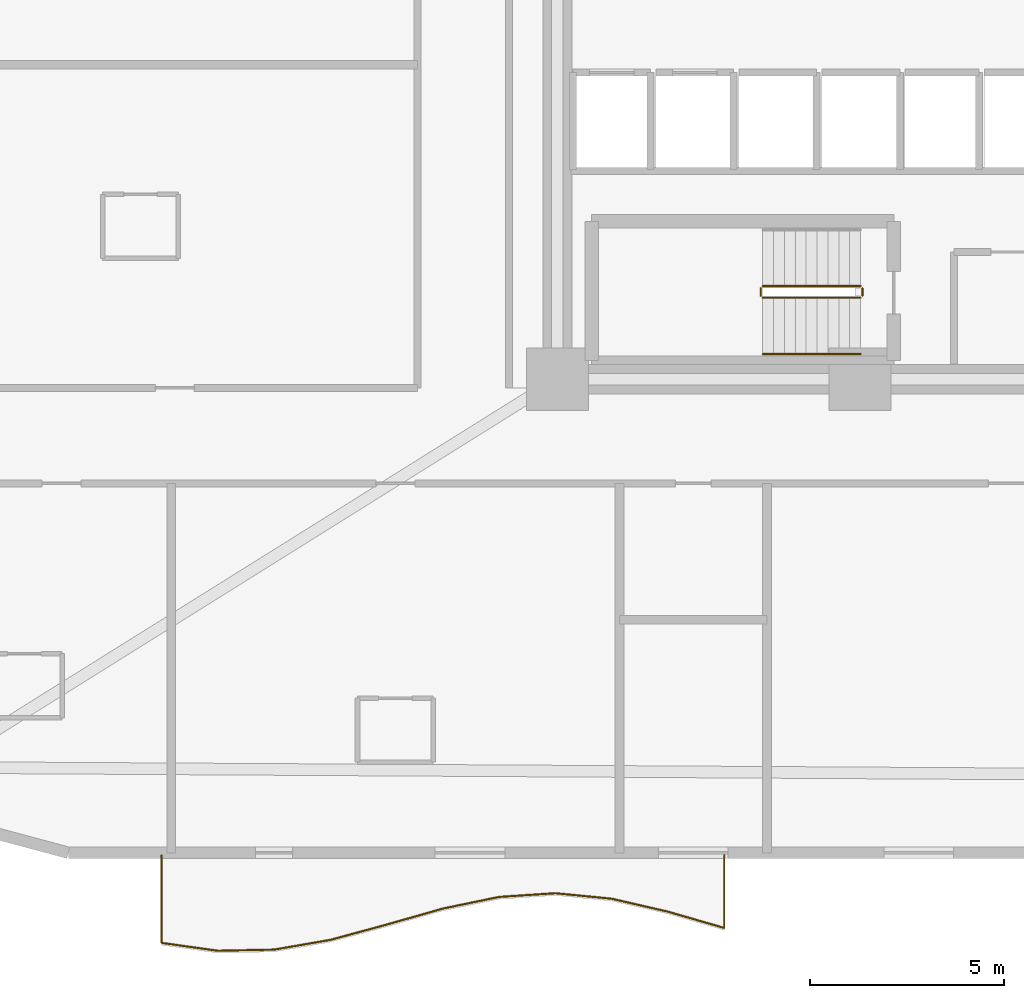
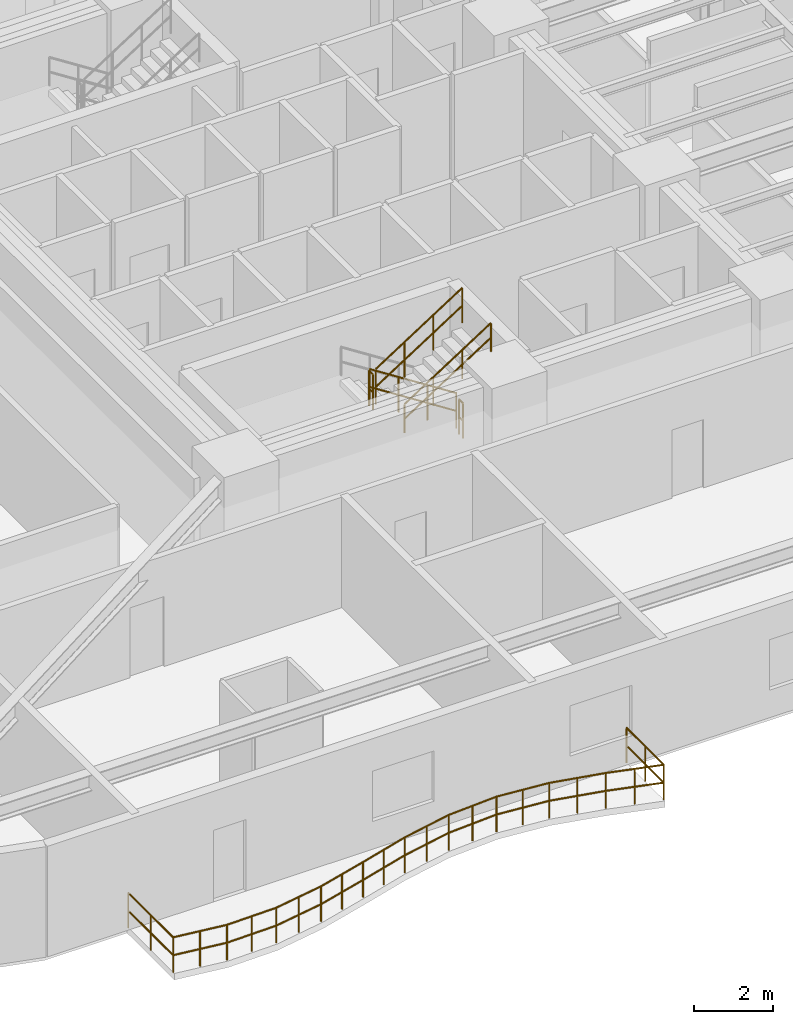
# One storey, part 15 of 17: 6 railings.
"""IFC4 building model written with IfcOpenShell, lengths in metres."""

from ifc_helpers import new_model, si_unit, direction, frame, origin, origin_2d, place, context, subcontext, project, spatial, circle, extrude, material, type_object, element, save


model = new_model("IFC4")

# Units and contexts
model_context = context("Model", 3, precision=1e-05, world=origin(), true_north=direction((0.0, 1.0)))
body_context = subcontext(model_context, "Body", "Model", "MODEL_VIEW")
ifc_project = project(units=[si_unit("LENGTHUNIT", "METRE"), si_unit("AREAUNIT", "SQUARE_METRE"), si_unit("VOLUMEUNIT", "CUBIC_METRE"), si_unit("PLANEANGLEUNIT", "RADIAN"), si_unit("MASSUNIT", "GRAM", prefix="KILO")], contexts=[model_context])

# Site, building, storey
site_placement = place(None, origin())
site = spatial("IfcSite", under=ifc_project, at=site_placement, CompositionType="ELEMENT")
building_placement = place(site_placement, origin())
building = spatial("IfcBuilding", under=site, at=building_placement, Name="An Khanh Terracotta Commons", CompositionType="ELEMENT")
storey_placement = place(building_placement, frame((0.0, 0.0, 36.0)))
storey = spatial("IfcBuildingStorey", under=building, at=storey_placement, Name="L09", CompositionType="ELEMENT", Elevation=36.0)

# Railings
ifc_material_1 = material(Name="Brushed Stainless Steel 316", Category="steel")
railing_type_1 = type_object("IfcRailingType", Name="RAIL-BALUSTRADE-1100", PredefinedType="BALUSTRADE", material=ifc_material_1)
railing_1_placement = place(storey_placement, frame((11.39990234375, 2.139892578125, 0.0)))
element("IfcRailing", 1, at=railing_1_placement, inside=storey, type_object=railing_type_1, Name="L09 S Wave Balcony Guard Balustrade", PredefinedType="BALUSTRADE", context=body_context, shape_type="SweptSolid", body=[
    extrude(circle(Radius=0.02392578125, at=origin_2d()), frame((0.0, 0.0, 1.076171875), z_axis=(0.0, -1.0, 0.0), x_axis=(1.0, 0.0, 0.0)), (0.0, 0.0, 1.0), 2.260009765625),
    extrude(circle(Radius=0.02392578125, at=origin_2d()), frame((0.0, 0.0, 0.52587890625), z_axis=(0.0, -1.0, 0.0), x_axis=(1.0, 0.0, 0.0)), (0.0, 0.0, 1.0), 2.260009765625),
    extrude(circle(Radius=0.02392578125, at=origin_2d()), frame((0.0, -2.260009765625, 1.076171875), z_axis=(0.990355477619, -0.13854973096, 0.0), x_axis=(0.13854973096, 0.990355477619, 0.0)), (0.0, 0.0, 1.0), 1.46435546875),
    extrude(circle(Radius=0.02392578125, at=origin_2d()), frame((0.0, -2.260009765625, 0.52587890625), z_axis=(0.990355477619, -0.13854973096, 0.0), x_axis=(0.13854973096, 0.990355477619, 0.0)), (0.0, 0.0, 1.0), 1.46435546875),
    extrude(circle(Radius=0.02392578125, at=origin_2d()), frame((1.4501953125, -2.462890625, 1.076171875), z_axis=(0.999799318874, 0.020033022217, 0.0), x_axis=(-0.020033022217, 0.999799318874, 0.0)), (0.0, 0.0, 1.0), 1.4501953125),
    extrude(circle(Radius=0.02392578125, at=origin_2d()), frame((1.4501953125, -2.462890625, 0.52587890625), z_axis=(0.999799318874, 0.020033022217, 0.0), x_axis=(-0.020033022217, 0.999799318874, 0.0)), (0.0, 0.0, 1.0), 1.4501953125),
    extrude(circle(Radius=0.02392578125, at=origin_2d()), frame((2.900146484375, -2.433837890625, 1.076171875), z_axis=(0.985347824939, 0.170556922721, 0.0), x_axis=(-0.170556922721, 0.985347824939, 0.0)), (0.0, 0.0, 1.0), 1.471435546875),
    extrude(circle(Radius=0.02392578125, at=origin_2d()), frame((2.900146484375, -2.433837890625, 0.52587890625), z_axis=(0.985347824939, 0.170556922721, 0.0), x_axis=(-0.170556922721, 0.985347824939, 0.0)), (0.0, 0.0, 1.0), 1.471435546875),
    extrude(circle(Radius=0.02392578125, at=origin_2d()), frame((4.35009765625, -2.182861328125, 1.076171875), z_axis=(0.964999660908, 0.262251128592, 0.0), x_axis=(-0.262251128592, 0.964999660908, 0.0)), (0.0, 0.0, 1.0), 1.50244140625),
    extrude(circle(Radius=0.02392578125, at=origin_2d()), frame((4.35009765625, -2.182861328125, 0.52587890625), z_axis=(0.964999660908, 0.262251128592, 0.0), x_axis=(-0.262251128592, 0.964999660908, 0.0)), (0.0, 0.0, 1.0), 1.50244140625),
    extrude(circle(Radius=0.02392578125, at=origin_2d()), frame((5.800048828125, -1.788818359375, 1.076171875), z_axis=(0.96177409967, 0.273844081923, 0.0), x_axis=(-0.273844081923, 0.96177409967, 0.0)), (0.0, 0.0, 1.0), 1.507568359375),
    extrude(circle(Radius=0.02392578125, at=origin_2d()), frame((5.800048828125, -1.788818359375, 0.52587890625), z_axis=(0.96177409967, 0.273844081923, 0.0), x_axis=(-0.273844081923, 0.96177409967, 0.0)), (0.0, 0.0, 1.0), 1.507568359375),
    extrude(circle(Radius=0.02392578125, at=origin_2d()), frame((7.25, -1.3759765625, 1.076171875), z_axis=(0.979259291612, 0.202611055453, 0.0), x_axis=(-0.202611055453, 0.979259291612, 0.0)), (0.0, 0.0, 1.0), 1.48095703125),
    extrude(circle(Radius=0.02392578125, at=origin_2d()), frame((7.25, -1.3759765625, 0.52587890625), z_axis=(0.979259291612, 0.202611055453, 0.0), x_axis=(-0.202611055453, 0.979259291612, 0.0)), (0.0, 0.0, 1.0), 1.48095703125),
    extrude(circle(Radius=0.02392578125, at=origin_2d()), frame((8.7001953125, -1.075927734375, 1.076171875), z_axis=(0.997861802068, 0.065359191952, 0.0), x_axis=(-0.065359191952, 0.997861802068, 0.0)), (0.0, 0.0, 1.0), 1.453125),
    extrude(circle(Radius=0.02392578125, at=origin_2d()), frame((8.7001953125, -1.075927734375, 0.52587890625), z_axis=(0.997861802068, 0.065359191952, 0.0), x_axis=(-0.065359191952, 0.997861802068, 0.0)), (0.0, 0.0, 1.0), 1.453125),
    extrude(circle(Radius=0.02392578125, at=origin_2d()), frame((10.150146484375, -0.98095703125, 1.076171875), z_axis=(0.995248924165, -0.097363129305, 0.0), x_axis=(0.097363129305, 0.995248924165, 0.0)), (0.0, 0.0, 1.0), 1.456787109375),
    extrude(circle(Radius=0.02392578125, at=origin_2d()), frame((10.150146484375, -0.98095703125, 0.52587890625), z_axis=(0.995248924165, -0.097363129305, 0.0), x_axis=(0.097363129305, 0.995248924165, 0.0)), (0.0, 0.0, 1.0), 1.456787109375),
    extrude(circle(Radius=0.02392578125, at=origin_2d()), frame((11.60009765625, -1.122802734375, 1.076171875), z_axis=(0.974482374478, -0.224464032377, 0.0), x_axis=(0.224464032377, 0.974482374478, 0.0)), (0.0, 0.0, 1.0), 1.488037109375),
    extrude(circle(Radius=0.02392578125, at=origin_2d()), frame((11.60009765625, -1.122802734375, 0.52587890625), z_axis=(0.974482374478, -0.224464032377, 0.0), x_axis=(0.224464032377, 0.974482374478, 0.0)), (0.0, 0.0, 1.0), 1.488037109375),
    extrude(circle(Radius=0.02392578125, at=origin_2d()), frame((13.050048828125, -1.456787109375, 1.076171875), z_axis=(0.960658574366, -0.277732071424, 0.0), x_axis=(0.277732071424, 0.960658574366, 0.0)), (0.0, 0.0, 1.0), 1.50927734375),
    extrude(circle(Radius=0.02392578125, at=origin_2d()), frame((13.050048828125, -1.456787109375, 0.52587890625), z_axis=(0.960658574366, -0.277732071424, 0.0), x_axis=(0.277732071424, 0.960658574366, 0.0)), (0.0, 0.0, 1.0), 1.50927734375),
    extrude(circle(Radius=0.02392578125, at=origin_2d()), frame((14.5, -1.8759765625, 1.076171875), z_axis=(0.0, 1.0, 0.0), x_axis=(-1.0, 0.0, 0.0)), (0.0, 0.0, 1.0), 1.8759765625),
    extrude(circle(Radius=0.02392578125, at=origin_2d()), frame((14.5, -1.8759765625, 0.52587890625), z_axis=(0.0, 1.0, 0.0), x_axis=(-1.0, 0.0, 0.0)), (0.0, 0.0, 1.0), 1.8759765625),
    extrude(circle(Radius=0.02099609375, at=origin_2d()), origin(), (0.0, 0.0, 1.0), 1.052001953125),
    extrude(circle(Radius=0.02099609375, at=origin_2d()), frame((0.0, -1.1298828125, 0.0)), (0.0, 0.0, 1.0), 1.052001953125),
    extrude(circle(Radius=0.02099609375, at=origin_2d()), frame((0.0, -2.260009765625, 0.0)), (0.0, 0.0, 1.0), 1.052001953125),
    extrude(circle(Radius=0.02099609375, at=origin_2d()), frame((0.72509765625, -2.361328125, 0.0)), (0.0, 0.0, 1.0), 1.052001953125),
    extrude(circle(Radius=0.02099609375, at=origin_2d()), frame((1.4501953125, -2.462890625, 0.0)), (0.0, 0.0, 1.0), 1.052001953125),
    extrude(circle(Radius=0.02099609375, at=origin_2d()), frame((2.17529296875, -2.4482421875, 0.0)), (0.0, 0.0, 1.0), 1.052001953125),
    extrude(circle(Radius=0.02099609375, at=origin_2d()), frame((2.900146484375, -2.433837890625, 0.0)), (0.0, 0.0, 1.0), 1.052001953125),
    extrude(circle(Radius=0.02099609375, at=origin_2d()), frame((3.625, -2.308349609375, 0.0)), (0.0, 0.0, 1.0), 1.052001953125),
    extrude(circle(Radius=0.02099609375, at=origin_2d()), frame((4.35009765625, -2.182861328125, 0.0)), (0.0, 0.0, 1.0), 1.052001953125),
    extrude(circle(Radius=0.02099609375, at=origin_2d()), frame((5.0751953125, -1.98583984375, 0.0)), (0.0, 0.0, 1.0), 1.052001953125),
    extrude(circle(Radius=0.02099609375, at=origin_2d()), frame((5.800048828125, -1.788818359375, 0.0)), (0.0, 0.0, 1.0), 1.052001953125),
    extrude(circle(Radius=0.02099609375, at=origin_2d()), frame((6.52490234375, -1.58251953125, 0.0)), (0.0, 0.0, 1.0), 1.052001953125),
    extrude(circle(Radius=0.02099609375, at=origin_2d()), frame((7.25, -1.3759765625, 0.0)), (0.0, 0.0, 1.0), 1.052001953125),
    extrude(circle(Radius=0.02099609375, at=origin_2d()), frame((7.97509765625, -1.22607421875, 0.0)), (0.0, 0.0, 1.0), 1.052001953125),
    extrude(circle(Radius=0.02099609375, at=origin_2d()), frame((8.7001953125, -1.075927734375, 0.0)), (0.0, 0.0, 1.0), 1.052001953125),
    extrude(circle(Radius=0.02099609375, at=origin_2d()), frame((9.42529296875, -1.0283203125, 0.0)), (0.0, 0.0, 1.0), 1.052001953125),
    extrude(circle(Radius=0.02099609375, at=origin_2d()), frame((10.150146484375, -0.98095703125, 0.0)), (0.0, 0.0, 1.0), 1.052001953125),
    extrude(circle(Radius=0.02099609375, at=origin_2d()), frame((10.875, -1.0517578125, 0.0)), (0.0, 0.0, 1.0), 1.052001953125),
    extrude(circle(Radius=0.02099609375, at=origin_2d()), frame((11.60009765625, -1.122802734375, 0.0)), (0.0, 0.0, 1.0), 1.052001953125),
    extrude(circle(Radius=0.02099609375, at=origin_2d()), frame((12.3251953125, -1.289794921875, 0.0)), (0.0, 0.0, 1.0), 1.052001953125),
    extrude(circle(Radius=0.02099609375, at=origin_2d()), frame((13.050048828125, -1.456787109375, 0.0)), (0.0, 0.0, 1.0), 1.052001953125),
    extrude(circle(Radius=0.02099609375, at=origin_2d()), frame((13.77490234375, -1.66650390625, 0.0)), (0.0, 0.0, 1.0), 1.052001953125),
    extrude(circle(Radius=0.02099609375, at=origin_2d()), frame((14.5, -1.8759765625, 0.0)), (0.0, 0.0, 1.0), 1.052001953125),
    extrude(circle(Radius=0.02099609375, at=origin_2d()), frame((14.5, -0.93798828125, 0.0)), (0.0, 0.0, 1.0), 1.052001953125),
    extrude(circle(Radius=0.02099609375, at=origin_2d()), frame((14.5, 0.0, 0.0)), (0.0, 0.0, 1.0), 1.052001953125),
])
railing_type_2 = type_object("IfcRailingType", Name="RAIL-HANDRAIL-900", PredefinedType="HANDRAIL", material=ifc_material_1)
railing_2_placement = place(storey_placement, frame((26.889892578125, 15.050048828125, 1.97998046875)))
element("IfcRailing", 2, at=railing_2_placement, inside=storey, type_object=railing_type_2, Name="L09 ST-02 stair handrail 2", PredefinedType="HANDRAIL", context=body_context, shape_type="SweptSolid", body=[
    extrude(circle(Radius=0.02392578125, at=origin_2d()), frame((0.0, 0.0, 0.8759765625), z_axis=(0.841162588446, 0.0, 0.540782303519), x_axis=(0.0, 1.0, 0.0)), (0.0, 0.0, 1.0), 2.995849609375),
    extrude(circle(Radius=0.02392578125, at=origin_2d()), frame((0.0, 0.0, 0.42578125), z_axis=(0.841162588446, 0.0, 0.540782303519), x_axis=(0.0, 1.0, 0.0)), (0.0, 0.0, 1.0), 2.995849609375),
    extrude(circle(Radius=0.02099609375, at=origin_2d()), origin(), (0.0, 0.0, 1.0), 0.851806640625),
    extrude(circle(Radius=0.02099609375, at=origin_2d()), frame((0.840087890625, 0.0, 0.5400390625)), (0.0, 0.0, 1.0), 0.851806640625),
    extrude(circle(Radius=0.02099609375, at=origin_2d()), frame((1.679931640625, 0.0, 1.080078125)), (0.0, 0.0, 1.0), 0.851806640625),
    extrude(circle(Radius=0.02099609375, at=origin_2d()), frame((2.52001953125, 0.0, 1.6201171875)), (0.0, 0.0, 1.0), 0.851806640625),
])
ifc_material_2 = material(Name="Powder-Coated Steel S355J2", Category="steel")
railing_type_3 = type_object("IfcRailingType", Name="RAIL-STAIR-GUARD-1100", PredefinedType="BALUSTRADE", material=ifc_material_2)
railing_3_placement = place(storey_placement, frame((29.409912109375, 16.800048828125, 0.179931640625)))
element("IfcRailing", 3, at=railing_3_placement, inside=storey, type_object=railing_type_3, Name="L09 ST-02 stair guard 1", PredefinedType="BALUSTRADE", context=body_context, shape_type="SweptSolid", body=[
    extrude(circle(Radius=0.02392578125, at=origin_2d()), frame((0.0, 0.0, 1.076171875), z_axis=(-0.841162588446, 0.0, 0.540782303519), x_axis=(0.0, -1.0, 0.0)), (0.0, 0.0, 1.0), 2.995849609375),
    extrude(circle(Radius=0.02392578125, at=origin_2d()), frame((0.0, 0.0, 0.52587890625), z_axis=(-0.841162588446, 0.0, 0.540782303519), x_axis=(0.0, -1.0, 0.0)), (0.0, 0.0, 1.0), 2.995849609375),
    extrude(circle(Radius=0.02099609375, at=origin_2d()), origin(), (0.0, 0.0, 1.0), 1.052001953125),
    extrude(circle(Radius=0.02099609375, at=origin_2d()), frame((-0.840087890625, 0.0, 0.5400390625)), (0.0, 0.0, 1.0), 1.052001953125),
    extrude(circle(Radius=0.02099609375, at=origin_2d()), frame((-1.679931640625, 0.0, 1.080078125)), (0.0, 0.0, 1.0), 1.052001953125),
    extrude(circle(Radius=0.02099609375, at=origin_2d()), frame((-2.52001953125, 0.0, 1.6201171875)), (0.0, 0.0, 1.0), 1.052001953125),
])
railing_4_placement = place(storey_placement, frame((26.840087890625, 16.75, 1.800048828125)))
element("IfcRailing", 4, at=railing_4_placement, inside=storey, type_object=railing_type_3, Name="L09 ST-02 stair guard 2", PredefinedType="BALUSTRADE", context=body_context, shape_type="SweptSolid", body=[
    extrude(circle(Radius=0.02392578125, at=origin_2d()), frame((0.0, 0.0, 1.076171875), z_axis=(0.0, -1.0, 0.0), x_axis=(1.0, 0.0, 0.0)), (0.0, 0.0, 1.0), 0.199951171875),
    extrude(circle(Radius=0.02392578125, at=origin_2d()), frame((0.0, 0.0, 0.52587890625), z_axis=(0.0, -1.0, 0.0), x_axis=(1.0, 0.0, 0.0)), (0.0, 0.0, 1.0), 0.199951171875),
    extrude(circle(Radius=0.02099609375, at=origin_2d()), origin(), (0.0, 0.0, 1.0), 1.052001953125),
    extrude(circle(Radius=0.02099609375, at=origin_2d()), frame((0.0, -0.199951171875, 0.0)), (0.0, 0.0, 1.0), 1.052001953125),
])
railing_5_placement = place(storey_placement, frame((26.889892578125, 16.5, 1.97998046875)))
element("IfcRailing", 5, at=railing_5_placement, inside=storey, type_object=railing_type_3, Name="L09 ST-02 stair guard 3", PredefinedType="BALUSTRADE", context=body_context, shape_type="SweptSolid", body=[
    extrude(circle(Radius=0.02392578125, at=origin_2d()), frame((0.0, 0.0, 1.076171875), z_axis=(0.841162588446, 0.0, 0.540782303519), x_axis=(0.0, 1.0, 0.0)), (0.0, 0.0, 1.0), 2.995849609375),
    extrude(circle(Radius=0.02392578125, at=origin_2d()), frame((0.0, 0.0, 0.52587890625), z_axis=(0.841162588446, 0.0, 0.540782303519), x_axis=(0.0, 1.0, 0.0)), (0.0, 0.0, 1.0), 2.995849609375),
    extrude(circle(Radius=0.02099609375, at=origin_2d()), origin(), (0.0, 0.0, 1.0), 1.052001953125),
    extrude(circle(Radius=0.02099609375, at=origin_2d()), frame((0.840087890625, 0.0, 0.5400390625)), (0.0, 0.0, 1.0), 1.052001953125),
    extrude(circle(Radius=0.02099609375, at=origin_2d()), frame((1.679931640625, 0.0, 1.080078125)), (0.0, 0.0, 1.0), 1.052001953125),
    extrude(circle(Radius=0.02099609375, at=origin_2d()), frame((2.52001953125, 0.0, 1.6201171875)), (0.0, 0.0, 1.0), 1.052001953125),
])
railing_6_placement = place(storey_placement, frame((29.4599609375, 16.75, 0.0)))
element("IfcRailing", 6, at=railing_6_placement, inside=storey, type_object=railing_type_3, Name="L09 ST-02 stair guard 4", PredefinedType="BALUSTRADE", context=body_context, shape_type="SweptSolid", body=[
    extrude(circle(Radius=0.02392578125, at=origin_2d()), frame((0.0, 0.0, 1.076171875), z_axis=(0.0, -1.0, 0.0), x_axis=(1.0, 0.0, 0.0)), (0.0, 0.0, 1.0), 0.199951171875),
    extrude(circle(Radius=0.02392578125, at=origin_2d()), frame((0.0, 0.0, 0.52587890625), z_axis=(0.0, -1.0, 0.0), x_axis=(1.0, 0.0, 0.0)), (0.0, 0.0, 1.0), 0.199951171875),
    extrude(circle(Radius=0.02099609375, at=origin_2d()), origin(), (0.0, 0.0, 1.0), 1.052001953125),
    extrude(circle(Radius=0.02099609375, at=origin_2d()), frame((0.0, -0.199951171875, 0.0)), (0.0, 0.0, 1.0), 1.052001953125),
])

save(model, "model.ifc")
